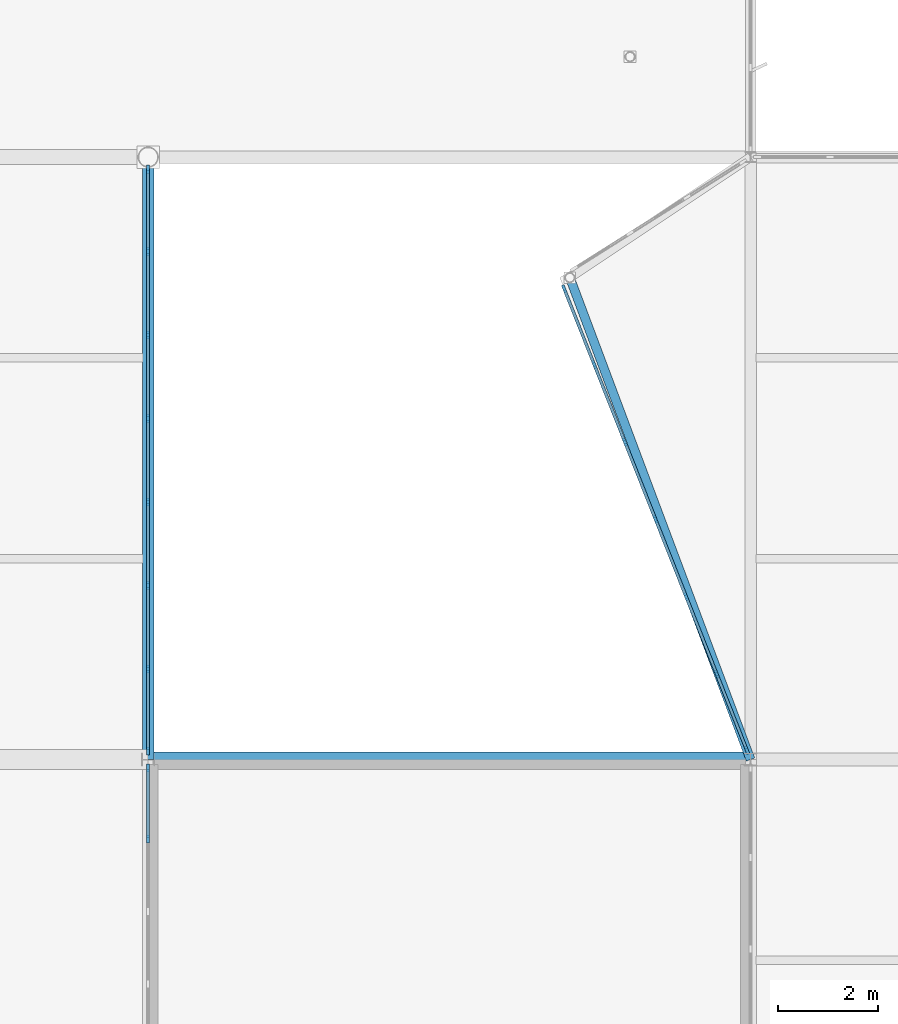
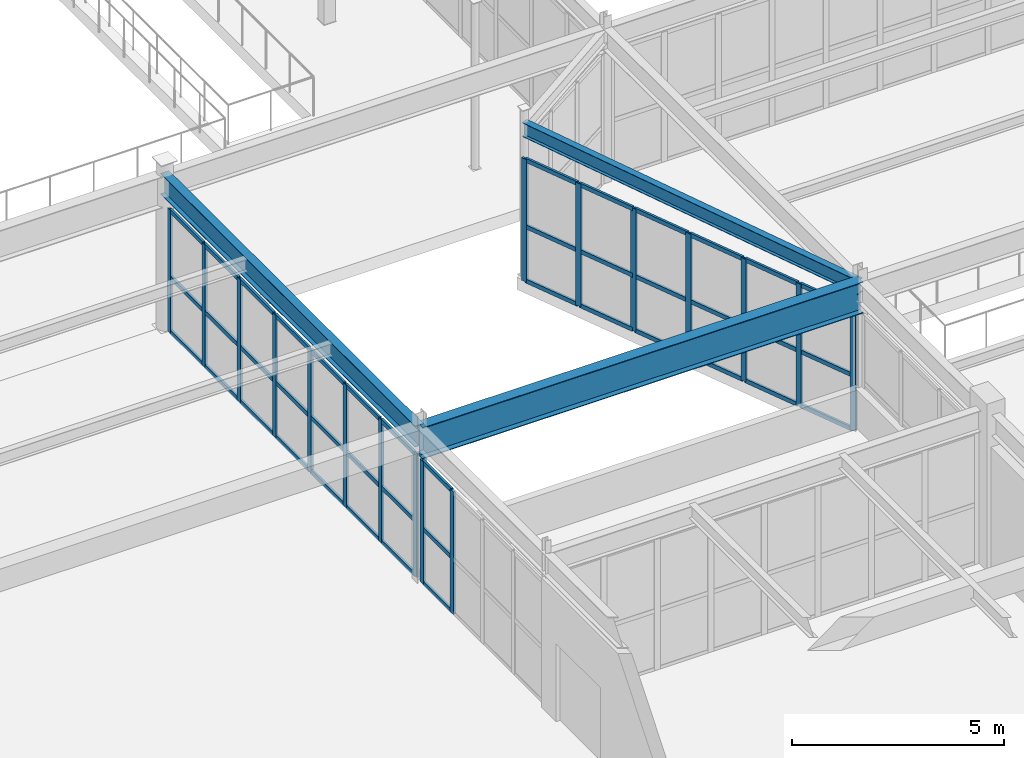
# One storey, part 113 of 226: 59 members, 3 beams, 3 elements without a shape of their own.
"""IFC4 building model written with IfcOpenShell, lengths in metres."""

from ifc_helpers import new_model, si_unit, direction, frame, origin, origin_2d, place, context, subcontext, project, spatial, rectangle, i_section, extrude, material, layer, layer_set, material_profile, profile_set, type_object, element, aggregate, save


model = new_model("IFC4")

# Units and contexts
model_context = context("Model", 3, precision=1e-05, world=origin(), true_north=direction((0.0, 1.0)))
body_context = subcontext(model_context, "Body", "Model", "MODEL_VIEW")
ifc_project = project(units=[si_unit("LENGTHUNIT", "METRE"), si_unit("AREAUNIT", "SQUARE_METRE"), si_unit("VOLUMEUNIT", "CUBIC_METRE"), si_unit("PLANEANGLEUNIT", "RADIAN"), si_unit("MASSUNIT", "GRAM", prefix="KILO")], contexts=[model_context])

# Site, building, storey
site_placement = place(None, origin())
site = spatial("IfcSite", under=ifc_project, at=site_placement, CompositionType="ELEMENT")
building_placement = place(site_placement, origin())
building = spatial("IfcBuilding", under=site, at=building_placement, Name="Tarnwether General Hospital", CompositionType="ELEMENT")
storey_placement = place(building_placement, frame((0.0, 0.0, 4.800048828125)))
storey = spatial("IfcBuildingStorey", under=building, at=storey_placement, Name="L01", CompositionType="ELEMENT", Elevation=4.800048828125)

# Beams
ifc_material_1 = material(Name="Steel Grade 350 (350 MPa)", Category="steel")
ifc_material_profile_1 = material_profile(ifc_material_1, i_section(OverallWidth=0.300048828125, OverallDepth=0.89990234375, WebThickness=0.011962890625, FlangeThickness=0.02001953125, at=origin_2d()), Name="900WB175")
ifc_profile_set_1 = profile_set([ifc_material_profile_1], Name="Steel Grade 350 (350 MPa)")
beam_type_1 = type_object("IfcBeamType", Name="BM-G01", PredefinedType="BEAM", material=ifc_profile_set_1)
beam_1_placement = place(storey_placement, frame((132.0, 33.60009765625, 3.994873046875), z_axis=(1.0, 0.0, 0.0), x_axis=(0.0, 1.0, 0.0)))
element("IfcBeam", 1, at=beam_1_placement, inside=storey, type_object=beam_type_1, Name="Primary Girder BMG-L01-13200_3360-14400_3360-1198", PredefinedType="BEAM", context=body_context, shape_type="SweptSolid", body=[
    extrude(i_section(OverallWidth=0.300048828125, OverallDepth=0.89990234375, WebThickness=0.011962890625, FlangeThickness=0.02001953125, at=origin_2d()), origin(), (0.0, 0.0, 1.0), 12.0),
])
ifc_material_2 = material(Name="Steel Grade 350 (350 MPa)", Category="steel")
ifc_material_profile_2 = material_profile(ifc_material_2, i_section(OverallWidth=0.22802734375, OverallDepth=0.60693359375, WebThickness=0.01123046875, FlangeThickness=0.017333984375, at=origin_2d()), Name="610UB113")
ifc_profile_set_2 = profile_set([ifc_material_profile_2], Name="Steel Grade 350 (350 MPa)")
beam_type_2 = type_object("IfcBeamType", Name="BM-G04", PredefinedType="BEAM", material=ifc_profile_set_2)
beam_2_placement = place(storey_placement, frame((132.0, 33.60009765625, 4.141357421875), z_axis=(0.0, 1.0, 0.0), x_axis=(-1.0, 0.0, 0.0)))
element("IfcBeam", 2, at=beam_2_placement, inside=storey, type_object=beam_type_2, Name="Primary Girder BMG-L01-13200_3360-13200_4560-1199", PredefinedType="BEAM", context=body_context, shape_type="SweptSolid", body=[
    extrude(i_section(OverallWidth=0.22802734375, OverallDepth=0.60693359375, WebThickness=0.01123046875, FlangeThickness=0.017333984375, at=origin_2d()), origin(), (0.0, 0.0, 1.0), 12.0),
])
ifc_material_3 = material(Name="Steel Grade 350 (350 MPa)", Category="steel")
ifc_material_profile_3 = material_profile(ifc_material_3, i_section(OverallWidth=0.177978515625, OverallDepth=0.403076171875, WebThickness=0.007568359375, FlangeThickness=0.010986328125, at=origin_2d()), Name="410UB53.7")
ifc_profile_set_3 = profile_set([ifc_material_profile_3], Name="Steel Grade 350 (350 MPa)")
beam_type_3 = type_object("IfcBeamType", Name="BM-SP2", PredefinedType="SPANDREL", material=ifc_profile_set_3)
beam_3_placement = place(storey_placement, frame((144.0, 33.60009765625, 4.228515625), z_axis=(-0.351136489402, 0.936324284535, 0.0), x_axis=(-0.936324284535, -0.351136489402, 0.0)))
element("IfcBeam", 3, at=beam_3_placement, inside=storey, type_object=beam_type_3, Name="Forecourt South Shard Girder BMG-L01-14400_3360-14040_4320-2228", PredefinedType="SPANDREL", context=body_context, shape_type="SweptSolid", body=[
    extrude(i_section(OverallWidth=0.177978515625, OverallDepth=0.403076171875, WebThickness=0.007568359375, FlangeThickness=0.010986328125, at=origin_2d()), origin(), (0.0, 0.0, 1.0), 10.252685546875),
])

# Curtain wall, members
ifc_material_4 = material(Name="Anodised aluminium", Category="aluminium")
ifc_layer = layer(ifc_material_4, 0.159912109375)
ifc_layer_set = layer_set([ifc_layer], Name="Anodised aluminium")
curtain_wall_type = type_object("IfcCurtainWallType", Name="CW-15", PredefinedType="NOTDEFINED", material=ifc_layer_set)
curtain_wall_1_placement = place(storey_placement, origin())
curtain_wall_1 = element("IfcCurtainWall", 4, at=curtain_wall_1_placement, inside=storey, type_object=curtain_wall_type, Name="Curtain Wall CWG-L01-1320_454-0365", PredefinedType="NOTDEFINED")
ifc_material_5 = material(Name="Anodised aluminium", Category="aluminium")
ifc_material_profile_4 = material_profile(ifc_material_5, rectangle(XDim=0.06005859375, YDim=0.159912109375, at=origin_2d()), Name="ALU-MUL-60x160")
ifc_profile_set_4 = profile_set([ifc_material_profile_4], Name="Anodised aluminium")
member_type_1 = type_object("IfcMemberType", Name="CW-ML1", PredefinedType="MULLION", material=ifc_profile_set_4)
member_1_placement = place(storey_placement, frame((132.0, 45.35888671875, 0.0), z_axis=(0.0, 0.0, 1.0), x_axis=(1.0, 0.0, 0.0)))
member_1 = element("IfcMember", 5, at=member_1_placement, type_object=member_type_1, Name="CW-15 mullion 1", PredefinedType="MULLION", context=body_context, shape_type="SweptSolid", body=[
    extrude(rectangle(XDim=0.06005859375, YDim=0.159912109375, at=origin_2d()), origin(), (0.0, 0.0, 1.0), 3.530029296875),
])
member_2_placement = place(storey_placement, frame((132.0, 43.724365234375, 0.0), z_axis=(0.0, 0.0, 1.0), x_axis=(1.0, 0.0, 0.0)))
member_2 = element("IfcMember", 6, at=member_2_placement, type_object=member_type_1, Name="CW-15 mullion 2", PredefinedType="MULLION", context=body_context, shape_type="SweptSolid", body=[
    extrude(rectangle(XDim=0.06005859375, YDim=0.159912109375, at=origin_2d()), origin(), (0.0, 0.0, 1.0), 3.530029296875),
])
member_3_placement = place(storey_placement, frame((132.0, 42.0595703125, 0.0), z_axis=(0.0, 0.0, 1.0), x_axis=(1.0, 0.0, 0.0)))
member_3 = element("IfcMember", 7, at=member_3_placement, type_object=member_type_1, Name="CW-15 mullion 3", PredefinedType="MULLION", context=body_context, shape_type="SweptSolid", body=[
    extrude(rectangle(XDim=0.06005859375, YDim=0.159912109375, at=origin_2d()), origin(), (0.0, 0.0, 1.0), 3.530029296875),
])
member_4_placement = place(storey_placement, frame((132.0, 40.394775390625, 0.0), z_axis=(0.0, 0.0, 1.0), x_axis=(1.0, 0.0, 0.0)))
member_4 = element("IfcMember", 8, at=member_4_placement, type_object=member_type_1, Name="CW-15 mullion 4", PredefinedType="MULLION", context=body_context, shape_type="SweptSolid", body=[
    extrude(rectangle(XDim=0.06005859375, YDim=0.159912109375, at=origin_2d()), origin(), (0.0, 0.0, 1.0), 3.530029296875),
])
member_5_placement = place(storey_placement, frame((132.0, 38.730224609375, 0.0), z_axis=(0.0, 0.0, 1.0), x_axis=(1.0, 0.0, 0.0)))
member_5 = element("IfcMember", 9, at=member_5_placement, type_object=member_type_1, Name="CW-15 mullion 5", PredefinedType="MULLION", context=body_context, shape_type="SweptSolid", body=[
    extrude(rectangle(XDim=0.06005859375, YDim=0.159912109375, at=origin_2d()), origin(), (0.0, 0.0, 1.0), 3.530029296875),
])
member_6_placement = place(storey_placement, frame((132.0, 37.0654296875, 0.0), z_axis=(0.0, 0.0, 1.0), x_axis=(1.0, 0.0, 0.0)))
member_6 = element("IfcMember", 10, at=member_6_placement, type_object=member_type_1, Name="CW-15 mullion 6", PredefinedType="MULLION", context=body_context, shape_type="SweptSolid", body=[
    extrude(rectangle(XDim=0.06005859375, YDim=0.159912109375, at=origin_2d()), origin(), (0.0, 0.0, 1.0), 3.530029296875),
])
member_7_placement = place(storey_placement, frame((132.0, 35.400634765625, 0.0), z_axis=(0.0, 0.0, 1.0), x_axis=(1.0, 0.0, 0.0)))
member_7 = element("IfcMember", 11, at=member_7_placement, type_object=member_type_1, Name="CW-15 mullion 7", PredefinedType="MULLION", context=body_context, shape_type="SweptSolid", body=[
    extrude(rectangle(XDim=0.06005859375, YDim=0.159912109375, at=origin_2d()), origin(), (0.0, 0.0, 1.0), 3.530029296875),
])
member_8_placement = place(storey_placement, frame((132.0, 33.76611328125, 0.0), z_axis=(0.0, 0.0, 1.0), x_axis=(1.0, 0.0, 0.0)))
member_8 = element("IfcMember", 12, at=member_8_placement, type_object=member_type_1, Name="CW-15 mullion 8", PredefinedType="MULLION", context=body_context, shape_type="SweptSolid", body=[
    extrude(rectangle(XDim=0.06005859375, YDim=0.159912109375, at=origin_2d()), origin(), (0.0, 0.0, 1.0), 3.530029296875),
])

curtain_wall_2_placement = place(storey_placement, origin())
curtain_wall_2 = element("IfcCurtainWall", 13, at=curtain_wall_2_placement, inside=storey, type_object=curtain_wall_type, Name="Curtain Wall CWG-L01-1320_335-0366", PredefinedType="NOTDEFINED")
member_9_placement = place(storey_placement, frame((132.0, 33.43408203125, 0.0), z_axis=(0.0, 0.0, 1.0), x_axis=(1.0, 0.0, 0.0)))
member_9 = element("IfcMember", 14, at=member_9_placement, type_object=member_type_1, Name="CW-15 mullion 1", PredefinedType="MULLION", context=body_context, shape_type="SweptSolid", body=[
    extrude(rectangle(XDim=0.06005859375, YDim=0.159912109375, at=origin_2d()), origin(), (0.0, 0.0, 1.0), 3.530029296875),
])
member_10_placement = place(storey_placement, frame((132.0, 32.019775390625, 0.0), z_axis=(0.0, 0.0, 1.0), x_axis=(1.0, 0.0, 0.0)))
member_10 = element("IfcMember", 15, at=member_10_placement, type_object=member_type_1, Name="CW-15 mullion 2", PredefinedType="MULLION", context=body_context, shape_type="SweptSolid", body=[
    extrude(rectangle(XDim=0.06005859375, YDim=0.159912109375, at=origin_2d()), origin(), (0.0, 0.0, 1.0), 3.530029296875),
])

curtain_wall_3_placement = place(storey_placement, origin())
curtain_wall_3 = element("IfcCurtainWall", 16, at=curtain_wall_3_placement, inside=storey, type_object=curtain_wall_type, Name="Curtain Wall CWG-L01-1439_338-0368", PredefinedType="NOTDEFINED")
member_11_placement = place(storey_placement, frame((143.925048828125, 33.788818359375, 0.0), z_axis=(0.0, 0.0, 1.0), x_axis=(-0.929802311264, -0.368059318545, 0.0)))
member_11 = element("IfcMember", 17, at=member_11_placement, type_object=member_type_1, Name="CW-15 mullion 1", PredefinedType="MULLION", context=body_context, shape_type="SweptSolid", body=[
    extrude(rectangle(XDim=0.06005859375, YDim=0.159912109375, at=origin_2d()), origin(), (0.0, 0.0, 1.0), 3.530029296875),
])
member_12_placement = place(storey_placement, frame((143.325927734375, 35.302001953125, 0.0), z_axis=(0.0, 0.0, 1.0), x_axis=(-0.929802311264, -0.368059318545, 0.0)))
member_12 = element("IfcMember", 18, at=member_12_placement, type_object=member_type_1, Name="CW-15 mullion 2", PredefinedType="MULLION", context=body_context, shape_type="SweptSolid", body=[
    extrude(rectangle(XDim=0.06005859375, YDim=0.159912109375, at=origin_2d()), origin(), (0.0, 0.0, 1.0), 3.530029296875),
])
member_13_placement = place(storey_placement, frame((142.716064453125, 36.843017578125, 0.0), z_axis=(0.0, 0.0, 1.0), x_axis=(-0.929802311264, -0.368059318545, 0.0)))
member_13 = element("IfcMember", 19, at=member_13_placement, type_object=member_type_1, Name="CW-15 mullion 3", PredefinedType="MULLION", context=body_context, shape_type="SweptSolid", body=[
    extrude(rectangle(XDim=0.06005859375, YDim=0.159912109375, at=origin_2d()), origin(), (0.0, 0.0, 1.0), 3.530029296875),
])
member_14_placement = place(storey_placement, frame((142.10595703125, 38.384033203125, 0.0), z_axis=(0.0, 0.0, 1.0), x_axis=(-0.929802311264, -0.368059318545, 0.0)))
member_14 = element("IfcMember", 20, at=member_14_placement, type_object=member_type_1, Name="CW-15 mullion 4", PredefinedType="MULLION", context=body_context, shape_type="SweptSolid", body=[
    extrude(rectangle(XDim=0.06005859375, YDim=0.159912109375, at=origin_2d()), origin(), (0.0, 0.0, 1.0), 3.530029296875),
])
member_15_placement = place(storey_placement, frame((141.49609375, 39.925048828125, 0.0), z_axis=(0.0, 0.0, 1.0), x_axis=(-0.929802311264, -0.368059318545, 0.0)))
member_15 = element("IfcMember", 21, at=member_15_placement, type_object=member_type_1, Name="CW-15 mullion 5", PredefinedType="MULLION", context=body_context, shape_type="SweptSolid", body=[
    extrude(rectangle(XDim=0.06005859375, YDim=0.159912109375, at=origin_2d()), origin(), (0.0, 0.0, 1.0), 3.530029296875),
])
member_16_placement = place(storey_placement, frame((140.885986328125, 41.466064453125, 0.0), z_axis=(0.0, 0.0, 1.0), x_axis=(-0.929802311264, -0.368059318545, 0.0)))
member_16 = element("IfcMember", 22, at=member_16_placement, type_object=member_type_1, Name="CW-15 mullion 6", PredefinedType="MULLION", context=body_context, shape_type="SweptSolid", body=[
    extrude(rectangle(XDim=0.06005859375, YDim=0.159912109375, at=origin_2d()), origin(), (0.0, 0.0, 1.0), 3.530029296875),
])
member_17_placement = place(storey_placement, frame((140.287109375, 42.97900390625, 0.0), z_axis=(0.0, 0.0, 1.0), x_axis=(-0.929802311264, -0.368059318545, 0.0)))
member_17 = element("IfcMember", 23, at=member_17_placement, type_object=member_type_1, Name="CW-15 mullion 7", PredefinedType="MULLION", context=body_context, shape_type="SweptSolid", body=[
    extrude(rectangle(XDim=0.06005859375, YDim=0.159912109375, at=origin_2d()), origin(), (0.0, 0.0, 1.0), 3.530029296875),
])

# Member
ifc_material_6 = material(Name="Anodised aluminium", Category="aluminium")
ifc_material_profile_5 = material_profile(ifc_material_6, rectangle(XDim=0.06005859375, YDim=0.1201171875, at=origin_2d()), Name="ALU-TRN-60x120")
ifc_profile_set_5 = profile_set([ifc_material_profile_5], Name="Anodised aluminium")
member_type_2 = type_object("IfcMemberType", Name="CW-TR1", PredefinedType="USERDEFINED", material=ifc_profile_set_5)
member_18_placement = place(storey_placement, frame((132.0, 45.3291015625, 0.030029296875), z_axis=(0.0, -1.0, 0.0), x_axis=(1.0, 0.0, 0.0)))
member_18 = element("IfcMember", 24, at=member_18_placement, type_object=member_type_2, Name="CW-15 transom 1.1", ObjectType="TRANSOM", PredefinedType="USERDEFINED", context=body_context, shape_type="SweptSolid", body=[
    extrude(rectangle(XDim=0.06005859375, YDim=0.1201171875, at=origin_2d()), origin(), (0.0, 0.0, 1.0), 1.57470703125),
])

member_19_placement = place(storey_placement, frame((132.0, 45.3291015625, 1.58837890625), z_axis=(0.0, -1.0, 0.0), x_axis=(1.0, 0.0, 0.0)))
member_19 = element("IfcMember", 25, at=member_19_placement, type_object=member_type_2, Name="CW-15 transom 1.2", ObjectType="TRANSOM", PredefinedType="USERDEFINED", context=body_context, shape_type="SweptSolid", body=[
    extrude(rectangle(XDim=0.06005859375, YDim=0.1201171875, at=origin_2d()), origin(), (0.0, 0.0, 1.0), 1.57470703125),
])

member_20_placement = place(storey_placement, frame((132.0, 45.3291015625, 3.5), z_axis=(0.0, -1.0, 0.0), x_axis=(1.0, 0.0, 0.0)))
member_20 = element("IfcMember", 26, at=member_20_placement, type_object=member_type_2, Name="CW-15 transom 1.3", ObjectType="TRANSOM", PredefinedType="USERDEFINED", context=body_context, shape_type="SweptSolid", body=[
    extrude(rectangle(XDim=0.06005859375, YDim=0.1201171875, at=origin_2d()), origin(), (0.0, 0.0, 1.0), 1.57470703125),
])

member_21_placement = place(storey_placement, frame((132.0, 43.6943359375, 0.030029296875), z_axis=(0.0, -1.0, 0.0), x_axis=(1.0, 0.0, 0.0)))
member_21 = element("IfcMember", 27, at=member_21_placement, type_object=member_type_2, Name="CW-15 transom 2.1", ObjectType="TRANSOM", PredefinedType="USERDEFINED", context=body_context, shape_type="SweptSolid", body=[
    extrude(rectangle(XDim=0.06005859375, YDim=0.1201171875, at=origin_2d()), origin(), (0.0, 0.0, 1.0), 1.604736328125),
])

member_22_placement = place(storey_placement, frame((132.0, 43.6943359375, 1.58837890625), z_axis=(0.0, -1.0, 0.0), x_axis=(1.0, 0.0, 0.0)))
member_22 = element("IfcMember", 28, at=member_22_placement, type_object=member_type_2, Name="CW-15 transom 2.2", ObjectType="TRANSOM", PredefinedType="USERDEFINED", context=body_context, shape_type="SweptSolid", body=[
    extrude(rectangle(XDim=0.06005859375, YDim=0.1201171875, at=origin_2d()), origin(), (0.0, 0.0, 1.0), 1.604736328125),
])

member_23_placement = place(storey_placement, frame((132.0, 43.6943359375, 3.5), z_axis=(0.0, -1.0, 0.0), x_axis=(1.0, 0.0, 0.0)))
member_23 = element("IfcMember", 29, at=member_23_placement, type_object=member_type_2, Name="CW-15 transom 2.3", ObjectType="TRANSOM", PredefinedType="USERDEFINED", context=body_context, shape_type="SweptSolid", body=[
    extrude(rectangle(XDim=0.06005859375, YDim=0.1201171875, at=origin_2d()), origin(), (0.0, 0.0, 1.0), 1.604736328125),
])

member_24_placement = place(storey_placement, frame((132.0, 42.029541015625, 0.030029296875), z_axis=(0.0, -1.0, 0.0), x_axis=(1.0, 0.0, 0.0)))
member_24 = element("IfcMember", 30, at=member_24_placement, type_object=member_type_2, Name="CW-15 transom 3.1", ObjectType="TRANSOM", PredefinedType="USERDEFINED", context=body_context, shape_type="SweptSolid", body=[
    extrude(rectangle(XDim=0.06005859375, YDim=0.1201171875, at=origin_2d()), origin(), (0.0, 0.0, 1.0), 1.604736328125),
])

member_25_placement = place(storey_placement, frame((132.0, 42.029541015625, 1.58837890625), z_axis=(0.0, -1.0, 0.0), x_axis=(1.0, 0.0, 0.0)))
member_25 = element("IfcMember", 31, at=member_25_placement, type_object=member_type_2, Name="CW-15 transom 3.2", ObjectType="TRANSOM", PredefinedType="USERDEFINED", context=body_context, shape_type="SweptSolid", body=[
    extrude(rectangle(XDim=0.06005859375, YDim=0.1201171875, at=origin_2d()), origin(), (0.0, 0.0, 1.0), 1.604736328125),
])

member_26_placement = place(storey_placement, frame((132.0, 42.029541015625, 3.5), z_axis=(0.0, -1.0, 0.0), x_axis=(1.0, 0.0, 0.0)))
member_26 = element("IfcMember", 32, at=member_26_placement, type_object=member_type_2, Name="CW-15 transom 3.3", ObjectType="TRANSOM", PredefinedType="USERDEFINED", context=body_context, shape_type="SweptSolid", body=[
    extrude(rectangle(XDim=0.06005859375, YDim=0.1201171875, at=origin_2d()), origin(), (0.0, 0.0, 1.0), 1.604736328125),
])

member_27_placement = place(storey_placement, frame((132.0, 40.36474609375, 0.030029296875), z_axis=(0.0, -1.0, 0.0), x_axis=(1.0, 0.0, 0.0)))
member_27 = element("IfcMember", 33, at=member_27_placement, type_object=member_type_2, Name="CW-15 transom 4.1", ObjectType="TRANSOM", PredefinedType="USERDEFINED", context=body_context, shape_type="SweptSolid", body=[
    extrude(rectangle(XDim=0.06005859375, YDim=0.1201171875, at=origin_2d()), origin(), (0.0, 0.0, 1.0), 1.6044921875),
])

member_28_placement = place(storey_placement, frame((132.0, 40.36474609375, 1.58837890625), z_axis=(0.0, -1.0, 0.0), x_axis=(1.0, 0.0, 0.0)))
member_28 = element("IfcMember", 34, at=member_28_placement, type_object=member_type_2, Name="CW-15 transom 4.2", ObjectType="TRANSOM", PredefinedType="USERDEFINED", context=body_context, shape_type="SweptSolid", body=[
    extrude(rectangle(XDim=0.06005859375, YDim=0.1201171875, at=origin_2d()), origin(), (0.0, 0.0, 1.0), 1.6044921875),
])

member_29_placement = place(storey_placement, frame((132.0, 40.36474609375, 3.5), z_axis=(0.0, -1.0, 0.0), x_axis=(1.0, 0.0, 0.0)))
member_29 = element("IfcMember", 35, at=member_29_placement, type_object=member_type_2, Name="CW-15 transom 4.3", ObjectType="TRANSOM", PredefinedType="USERDEFINED", context=body_context, shape_type="SweptSolid", body=[
    extrude(rectangle(XDim=0.06005859375, YDim=0.1201171875, at=origin_2d()), origin(), (0.0, 0.0, 1.0), 1.6044921875),
])

member_30_placement = place(storey_placement, frame((132.0, 38.7001953125, 0.030029296875), z_axis=(0.0, -1.0, 0.0), x_axis=(1.0, 0.0, 0.0)))
member_30 = element("IfcMember", 36, at=member_30_placement, type_object=member_type_2, Name="CW-15 transom 5.1", ObjectType="TRANSOM", PredefinedType="USERDEFINED", context=body_context, shape_type="SweptSolid", body=[
    extrude(rectangle(XDim=0.06005859375, YDim=0.1201171875, at=origin_2d()), origin(), (0.0, 0.0, 1.0), 1.604736328125),
])

member_31_placement = place(storey_placement, frame((132.0, 38.7001953125, 1.58837890625), z_axis=(0.0, -1.0, 0.0), x_axis=(1.0, 0.0, 0.0)))
member_31 = element("IfcMember", 37, at=member_31_placement, type_object=member_type_2, Name="CW-15 transom 5.2", ObjectType="TRANSOM", PredefinedType="USERDEFINED", context=body_context, shape_type="SweptSolid", body=[
    extrude(rectangle(XDim=0.06005859375, YDim=0.1201171875, at=origin_2d()), origin(), (0.0, 0.0, 1.0), 1.604736328125),
])

member_32_placement = place(storey_placement, frame((132.0, 38.7001953125, 3.5), z_axis=(0.0, -1.0, 0.0), x_axis=(1.0, 0.0, 0.0)))
member_32 = element("IfcMember", 38, at=member_32_placement, type_object=member_type_2, Name="CW-15 transom 5.3", ObjectType="TRANSOM", PredefinedType="USERDEFINED", context=body_context, shape_type="SweptSolid", body=[
    extrude(rectangle(XDim=0.06005859375, YDim=0.1201171875, at=origin_2d()), origin(), (0.0, 0.0, 1.0), 1.604736328125),
])

member_33_placement = place(storey_placement, frame((132.0, 37.035400390625, 0.030029296875), z_axis=(0.0, -1.0, 0.0), x_axis=(1.0, 0.0, 0.0)))
member_33 = element("IfcMember", 39, at=member_33_placement, type_object=member_type_2, Name="CW-15 transom 6.1", ObjectType="TRANSOM", PredefinedType="USERDEFINED", context=body_context, shape_type="SweptSolid", body=[
    extrude(rectangle(XDim=0.06005859375, YDim=0.1201171875, at=origin_2d()), origin(), (0.0, 0.0, 1.0), 1.604736328125),
])

member_34_placement = place(storey_placement, frame((132.0, 37.035400390625, 1.58837890625), z_axis=(0.0, -1.0, 0.0), x_axis=(1.0, 0.0, 0.0)))
member_34 = element("IfcMember", 40, at=member_34_placement, type_object=member_type_2, Name="CW-15 transom 6.2", ObjectType="TRANSOM", PredefinedType="USERDEFINED", context=body_context, shape_type="SweptSolid", body=[
    extrude(rectangle(XDim=0.06005859375, YDim=0.1201171875, at=origin_2d()), origin(), (0.0, 0.0, 1.0), 1.604736328125),
])

member_35_placement = place(storey_placement, frame((132.0, 37.035400390625, 3.5), z_axis=(0.0, -1.0, 0.0), x_axis=(1.0, 0.0, 0.0)))
member_35 = element("IfcMember", 41, at=member_35_placement, type_object=member_type_2, Name="CW-15 transom 6.3", ObjectType="TRANSOM", PredefinedType="USERDEFINED", context=body_context, shape_type="SweptSolid", body=[
    extrude(rectangle(XDim=0.06005859375, YDim=0.1201171875, at=origin_2d()), origin(), (0.0, 0.0, 1.0), 1.604736328125),
])

member_36_placement = place(storey_placement, frame((132.0, 35.37060546875, 0.030029296875), z_axis=(0.0, -1.0, 0.0), x_axis=(1.0, 0.0, 0.0)))
member_36 = element("IfcMember", 42, at=member_36_placement, type_object=member_type_2, Name="CW-15 transom 7.1", ObjectType="TRANSOM", PredefinedType="USERDEFINED", context=body_context, shape_type="SweptSolid", body=[
    extrude(rectangle(XDim=0.06005859375, YDim=0.1201171875, at=origin_2d()), origin(), (0.0, 0.0, 1.0), 1.57470703125),
])

member_37_placement = place(storey_placement, frame((132.0, 35.37060546875, 1.58837890625), z_axis=(0.0, -1.0, 0.0), x_axis=(1.0, 0.0, 0.0)))
member_37 = element("IfcMember", 43, at=member_37_placement, type_object=member_type_2, Name="CW-15 transom 7.2", ObjectType="TRANSOM", PredefinedType="USERDEFINED", context=body_context, shape_type="SweptSolid", body=[
    extrude(rectangle(XDim=0.06005859375, YDim=0.1201171875, at=origin_2d()), origin(), (0.0, 0.0, 1.0), 1.57470703125),
])

member_38_placement = place(storey_placement, frame((132.0, 35.37060546875, 3.5), z_axis=(0.0, -1.0, 0.0), x_axis=(1.0, 0.0, 0.0)))
member_38 = element("IfcMember", 44, at=member_38_placement, type_object=member_type_2, Name="CW-15 transom 7.3", ObjectType="TRANSOM", PredefinedType="USERDEFINED", context=body_context, shape_type="SweptSolid", body=[
    extrude(rectangle(XDim=0.06005859375, YDim=0.1201171875, at=origin_2d()), origin(), (0.0, 0.0, 1.0), 1.57470703125),
])

aggregate(curtain_wall_1, [member_1, member_2, member_3, member_4, member_5, member_6, member_7, member_8, member_18, member_19, member_20, member_21, member_22, member_23, member_24, member_25, member_26, member_27, member_28, member_29, member_30, member_31, member_32, member_33, member_34, member_35, member_36, member_37, member_38])

member_39_placement = place(storey_placement, frame((132.0, 33.404052734375, 0.030029296875), z_axis=(0.0, -1.0, 0.0), x_axis=(1.0, 0.0, 0.0)))
member_39 = element("IfcMember", 45, at=member_39_placement, type_object=member_type_2, Name="CW-15 transom 1.1", ObjectType="TRANSOM", PredefinedType="USERDEFINED", context=body_context, shape_type="SweptSolid", body=[
    extrude(rectangle(XDim=0.06005859375, YDim=0.1201171875, at=origin_2d()), origin(), (0.0, 0.0, 1.0), 1.354248046875),
])

member_40_placement = place(storey_placement, frame((132.0, 33.404052734375, 1.58837890625), z_axis=(0.0, -1.0, 0.0), x_axis=(1.0, 0.0, 0.0)))
member_40 = element("IfcMember", 46, at=member_40_placement, type_object=member_type_2, Name="CW-15 transom 1.2", ObjectType="TRANSOM", PredefinedType="USERDEFINED", context=body_context, shape_type="SweptSolid", body=[
    extrude(rectangle(XDim=0.06005859375, YDim=0.1201171875, at=origin_2d()), origin(), (0.0, 0.0, 1.0), 1.354248046875),
])

member_41_placement = place(storey_placement, frame((132.0, 33.404052734375, 3.5), z_axis=(0.0, -1.0, 0.0), x_axis=(1.0, 0.0, 0.0)))
member_41 = element("IfcMember", 47, at=member_41_placement, type_object=member_type_2, Name="CW-15 transom 1.3", ObjectType="TRANSOM", PredefinedType="USERDEFINED", context=body_context, shape_type="SweptSolid", body=[
    extrude(rectangle(XDim=0.06005859375, YDim=0.1201171875, at=origin_2d()), origin(), (0.0, 0.0, 1.0), 1.354248046875),
])

aggregate(curtain_wall_2, [member_9, member_10, member_39, member_40, member_41])

member_42_placement = place(storey_placement, frame((143.913818359375, 33.81689453125, 0.030029296875), z_axis=(-0.367950246742, 0.929845479595, 0.0), x_axis=(-0.929845479595, -0.367950246742, 0.0)))
member_42 = element("IfcMember", 48, at=member_42_placement, type_object=member_type_2, Name="CW-15 transom 1.1", ObjectType="TRANSOM", PredefinedType="USERDEFINED", context=body_context, shape_type="SweptSolid", body=[
    extrude(rectangle(XDim=0.06005859375, YDim=0.1201171875, at=origin_2d()), origin(), (0.0, 0.0, 1.0), 1.567138671875),
])

member_43_placement = place(storey_placement, frame((143.913818359375, 33.81689453125, 1.58837890625), z_axis=(-0.367950246742, 0.929845479595, 0.0), x_axis=(-0.929845479595, -0.367950246742, 0.0)))
member_43 = element("IfcMember", 49, at=member_43_placement, type_object=member_type_2, Name="CW-15 transom 1.2", ObjectType="TRANSOM", PredefinedType="USERDEFINED", context=body_context, shape_type="SweptSolid", body=[
    extrude(rectangle(XDim=0.06005859375, YDim=0.1201171875, at=origin_2d()), origin(), (0.0, 0.0, 1.0), 1.567138671875),
])

member_44_placement = place(storey_placement, frame((143.913818359375, 33.81689453125, 3.5), z_axis=(-0.367950246742, 0.929845479595, 0.0), x_axis=(-0.929845479595, -0.367950246742, 0.0)))
member_44 = element("IfcMember", 50, at=member_44_placement, type_object=member_type_2, Name="CW-15 transom 1.3", ObjectType="TRANSOM", PredefinedType="USERDEFINED", context=body_context, shape_type="SweptSolid", body=[
    extrude(rectangle(XDim=0.06005859375, YDim=0.1201171875, at=origin_2d()), origin(), (0.0, 0.0, 1.0), 1.567138671875),
])

member_45_placement = place(storey_placement, frame((143.31494140625, 35.329833984375, 0.030029296875), z_axis=(-0.36801541878, 0.929819687649, 0.0), x_axis=(-0.929819687649, -0.36801541878, 0.0)))
member_45 = element("IfcMember", 51, at=member_45_placement, type_object=member_type_2, Name="CW-15 transom 2.1", ObjectType="TRANSOM", PredefinedType="USERDEFINED", context=body_context, shape_type="SweptSolid", body=[
    extrude(rectangle(XDim=0.06005859375, YDim=0.1201171875, at=origin_2d()), origin(), (0.0, 0.0, 1.0), 1.597412109375),
])

member_46_placement = place(storey_placement, frame((143.31494140625, 35.329833984375, 1.58837890625), z_axis=(-0.36801541878, 0.929819687649, 0.0), x_axis=(-0.929819687649, -0.36801541878, 0.0)))
member_46 = element("IfcMember", 52, at=member_46_placement, type_object=member_type_2, Name="CW-15 transom 2.2", ObjectType="TRANSOM", PredefinedType="USERDEFINED", context=body_context, shape_type="SweptSolid", body=[
    extrude(rectangle(XDim=0.06005859375, YDim=0.1201171875, at=origin_2d()), origin(), (0.0, 0.0, 1.0), 1.597412109375),
])

member_47_placement = place(storey_placement, frame((143.31494140625, 35.329833984375, 3.5), z_axis=(-0.36801541878, 0.929819687649, 0.0), x_axis=(-0.929819687649, -0.36801541878, 0.0)))
member_47 = element("IfcMember", 53, at=member_47_placement, type_object=member_type_2, Name="CW-15 transom 2.3", ObjectType="TRANSOM", PredefinedType="USERDEFINED", context=body_context, shape_type="SweptSolid", body=[
    extrude(rectangle(XDim=0.06005859375, YDim=0.1201171875, at=origin_2d()), origin(), (0.0, 0.0, 1.0), 1.597412109375),
])

member_48_placement = place(storey_placement, frame((142.705078125, 36.870849609375, 0.030029296875), z_axis=(-0.368147539328, 0.929767384504, 0.0), x_axis=(-0.929767384504, -0.368147539328, 0.0)))
member_48 = element("IfcMember", 54, at=member_48_placement, type_object=member_type_2, Name="CW-15 transom 3.1", ObjectType="TRANSOM", PredefinedType="USERDEFINED", context=body_context, shape_type="SweptSolid", body=[
    extrude(rectangle(XDim=0.06005859375, YDim=0.1201171875, at=origin_2d()), origin(), (0.0, 0.0, 1.0), 1.59765625),
])

member_49_placement = place(storey_placement, frame((142.705078125, 36.870849609375, 1.58837890625), z_axis=(-0.368147539328, 0.929767384504, 0.0), x_axis=(-0.929767384504, -0.368147539328, 0.0)))
member_49 = element("IfcMember", 55, at=member_49_placement, type_object=member_type_2, Name="CW-15 transom 3.2", ObjectType="TRANSOM", PredefinedType="USERDEFINED", context=body_context, shape_type="SweptSolid", body=[
    extrude(rectangle(XDim=0.06005859375, YDim=0.1201171875, at=origin_2d()), origin(), (0.0, 0.0, 1.0), 1.59765625),
])

member_50_placement = place(storey_placement, frame((142.705078125, 36.870849609375, 3.5), z_axis=(-0.368147539328, 0.929767384504, 0.0), x_axis=(-0.929767384504, -0.368147539328, 0.0)))
member_50 = element("IfcMember", 56, at=member_50_placement, type_object=member_type_2, Name="CW-15 transom 3.3", ObjectType="TRANSOM", PredefinedType="USERDEFINED", context=body_context, shape_type="SweptSolid", body=[
    extrude(rectangle(XDim=0.06005859375, YDim=0.1201171875, at=origin_2d()), origin(), (0.0, 0.0, 1.0), 1.59765625),
])

member_51_placement = place(storey_placement, frame((142.094970703125, 38.411865234375, 0.030029296875), z_axis=(-0.36801541878, 0.929819687649, 0.0), x_axis=(-0.929819687649, -0.36801541878, 0.0)))
member_51 = element("IfcMember", 57, at=member_51_placement, type_object=member_type_2, Name="CW-15 transom 4.1", ObjectType="TRANSOM", PredefinedType="USERDEFINED", context=body_context, shape_type="SweptSolid", body=[
    extrude(rectangle(XDim=0.06005859375, YDim=0.1201171875, at=origin_2d()), origin(), (0.0, 0.0, 1.0), 1.597412109375),
])

member_52_placement = place(storey_placement, frame((142.094970703125, 38.411865234375, 1.58837890625), z_axis=(-0.36801541878, 0.929819687649, 0.0), x_axis=(-0.929819687649, -0.36801541878, 0.0)))
member_52 = element("IfcMember", 58, at=member_52_placement, type_object=member_type_2, Name="CW-15 transom 4.2", ObjectType="TRANSOM", PredefinedType="USERDEFINED", context=body_context, shape_type="SweptSolid", body=[
    extrude(rectangle(XDim=0.06005859375, YDim=0.1201171875, at=origin_2d()), origin(), (0.0, 0.0, 1.0), 1.597412109375),
])

member_53_placement = place(storey_placement, frame((142.094970703125, 38.411865234375, 3.5), z_axis=(-0.36801541878, 0.929819687649, 0.0), x_axis=(-0.929819687649, -0.36801541878, 0.0)))
member_53 = element("IfcMember", 59, at=member_53_placement, type_object=member_type_2, Name="CW-15 transom 4.3", ObjectType="TRANSOM", PredefinedType="USERDEFINED", context=body_context, shape_type="SweptSolid", body=[
    extrude(rectangle(XDim=0.06005859375, YDim=0.1201171875, at=origin_2d()), origin(), (0.0, 0.0, 1.0), 1.597412109375),
])

member_54_placement = place(storey_placement, frame((141.48486328125, 39.952880859375, 0.030029296875), z_axis=(-0.368067722331, 0.929798984608, 0.0), x_axis=(-0.929798984608, -0.368067722331, 0.0)))
member_54 = element("IfcMember", 60, at=member_54_placement, type_object=member_type_2, Name="CW-15 transom 5.1", ObjectType="TRANSOM", PredefinedType="USERDEFINED", context=body_context, shape_type="SweptSolid", body=[
    extrude(rectangle(XDim=0.06005859375, YDim=0.1201171875, at=origin_2d()), origin(), (0.0, 0.0, 1.0), 1.59716796875),
])

member_55_placement = place(storey_placement, frame((141.48486328125, 39.952880859375, 1.58837890625), z_axis=(-0.368067722331, 0.929798984608, 0.0), x_axis=(-0.929798984608, -0.368067722331, 0.0)))
member_55 = element("IfcMember", 61, at=member_55_placement, type_object=member_type_2, Name="CW-15 transom 5.2", ObjectType="TRANSOM", PredefinedType="USERDEFINED", context=body_context, shape_type="SweptSolid", body=[
    extrude(rectangle(XDim=0.06005859375, YDim=0.1201171875, at=origin_2d()), origin(), (0.0, 0.0, 1.0), 1.59716796875),
])

member_56_placement = place(storey_placement, frame((141.48486328125, 39.952880859375, 3.5), z_axis=(-0.368067722331, 0.929798984608, 0.0), x_axis=(-0.929798984608, -0.368067722331, 0.0)))
member_56 = element("IfcMember", 62, at=member_56_placement, type_object=member_type_2, Name="CW-15 transom 5.3", ObjectType="TRANSOM", PredefinedType="USERDEFINED", context=body_context, shape_type="SweptSolid", body=[
    extrude(rectangle(XDim=0.06005859375, YDim=0.1201171875, at=origin_2d()), origin(), (0.0, 0.0, 1.0), 1.59716796875),
])

member_57_placement = place(storey_placement, frame((140.875, 41.493896484375, 0.030029296875), z_axis=(-0.368084923741, 0.92979217512, 0.0), x_axis=(-0.92979217512, -0.368084923741, 0.0)))
member_57 = element("IfcMember", 63, at=member_57_placement, type_object=member_type_2, Name="CW-15 transom 6.1", ObjectType="TRANSOM", PredefinedType="USERDEFINED", context=body_context, shape_type="SweptSolid", body=[
    extrude(rectangle(XDim=0.06005859375, YDim=0.1201171875, at=origin_2d()), origin(), (0.0, 0.0, 1.0), 1.5673828125),
])

member_58_placement = place(storey_placement, frame((140.875, 41.493896484375, 1.58837890625), z_axis=(-0.368084923741, 0.92979217512, 0.0), x_axis=(-0.92979217512, -0.368084923741, 0.0)))
member_58 = element("IfcMember", 64, at=member_58_placement, type_object=member_type_2, Name="CW-15 transom 6.2", ObjectType="TRANSOM", PredefinedType="USERDEFINED", context=body_context, shape_type="SweptSolid", body=[
    extrude(rectangle(XDim=0.06005859375, YDim=0.1201171875, at=origin_2d()), origin(), (0.0, 0.0, 1.0), 1.5673828125),
])

member_59_placement = place(storey_placement, frame((140.875, 41.493896484375, 3.5), z_axis=(-0.368084923741, 0.92979217512, 0.0), x_axis=(-0.92979217512, -0.368084923741, 0.0)))
member_59 = element("IfcMember", 65, at=member_59_placement, type_object=member_type_2, Name="CW-15 transom 6.3", ObjectType="TRANSOM", PredefinedType="USERDEFINED", context=body_context, shape_type="SweptSolid", body=[
    extrude(rectangle(XDim=0.06005859375, YDim=0.1201171875, at=origin_2d()), origin(), (0.0, 0.0, 1.0), 1.5673828125),
])

aggregate(curtain_wall_3, [member_11, member_12, member_13, member_14, member_15, member_16, member_17, member_42, member_43, member_44, member_45, member_46, member_47, member_48, member_49, member_50, member_51, member_52, member_53, member_54, member_55, member_56, member_57, member_58, member_59])

save(model, "model.ifc")
